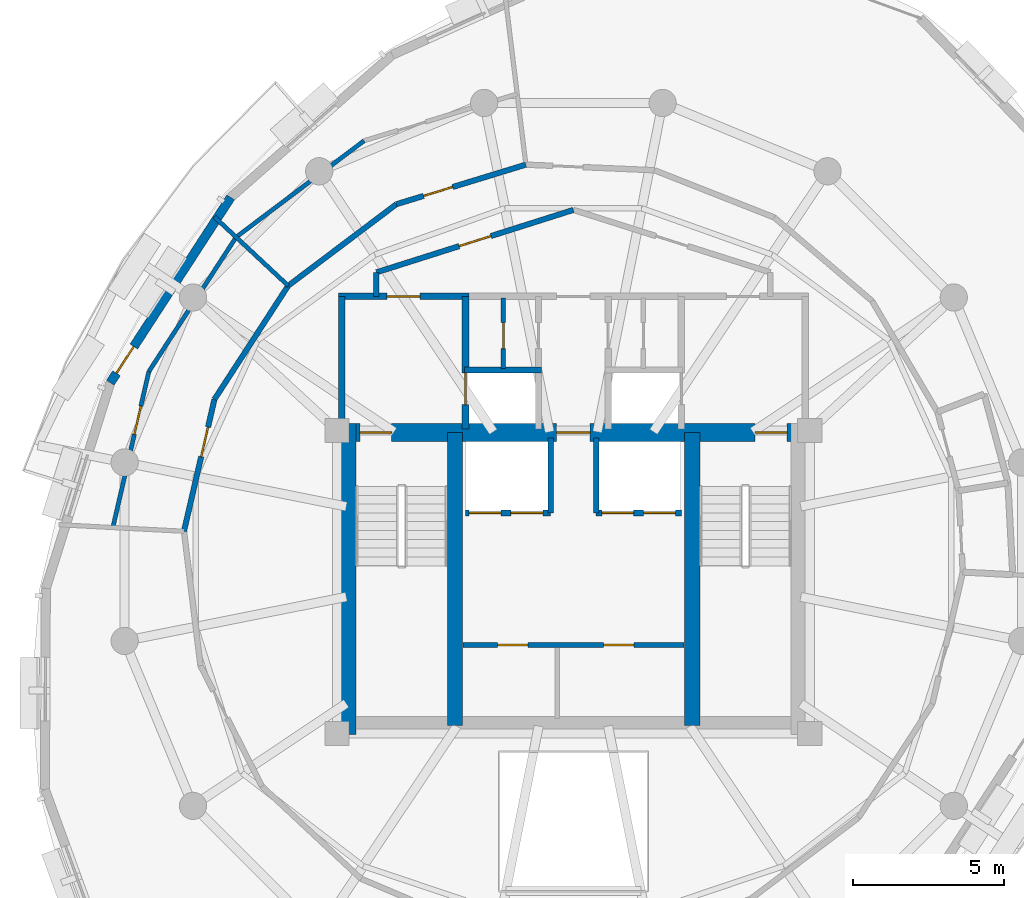
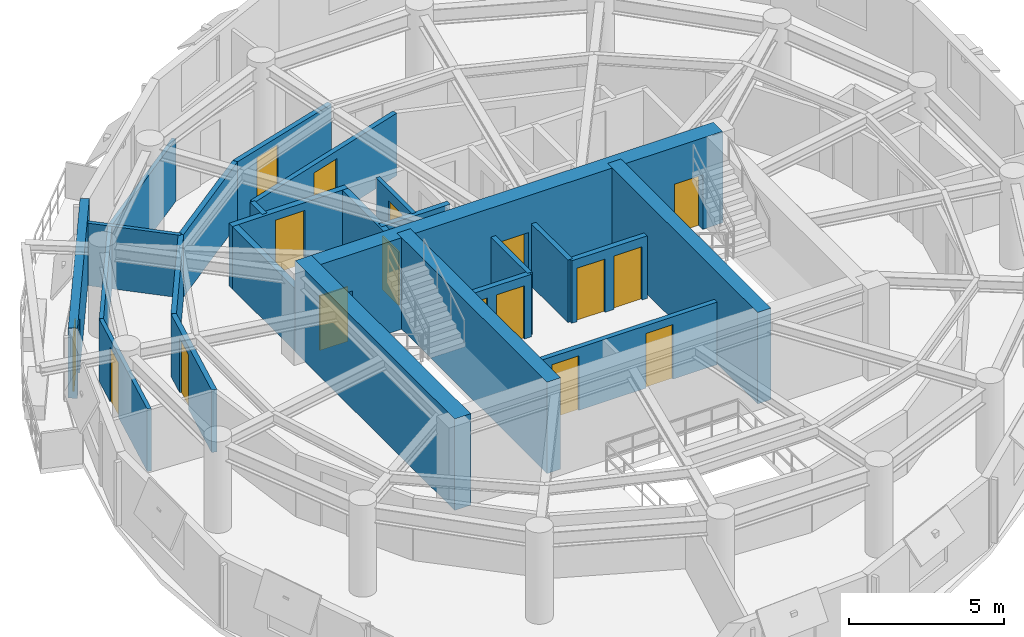
# One storey, part 7 of 11: 25 walls, 17 doors, 17 openings.
"""IFC4 building model written with IfcOpenShell, lengths in metres."""

from ifc_helpers import new_model, si_unit, direction, frame, frame_2d, origin, place, context, subcontext, project, spatial, rectangle, extrude, material, layer, layer_set, type_object, element, fill, save


model = new_model("IFC4")

# Units and contexts
model_context = context("Model", 3, precision=1e-05, world=origin(), true_north=direction((0.0, 1.0)))
body_context = subcontext(model_context, "Body", "Model", "MODEL_VIEW")
ifc_project = project(units=[si_unit("LENGTHUNIT", "METRE"), si_unit("AREAUNIT", "SQUARE_METRE"), si_unit("VOLUMEUNIT", "CUBIC_METRE"), si_unit("PLANEANGLEUNIT", "RADIAN"), si_unit("MASSUNIT", "GRAM", prefix="KILO"), si_unit("THERMODYNAMICTEMPERATUREUNIT", "KELVIN"), si_unit("POWERUNIT", "WATT")], contexts=[model_context])

# Site, building, storey
site_placement = place(None, origin())
site = spatial("IfcSite", under=ifc_project, at=site_placement, CompositionType="ELEMENT")
building_placement = place(site_placement, origin())
building = spatial("IfcBuilding", under=site, at=building_placement, Name="Ocrelia Relay Tower", CompositionType="ELEMENT")
storey_placement = place(building_placement, frame((0.0, 0.0, 266.39990234375)))
storey = spatial("IfcBuildingStorey", under=building, at=storey_placement, Name="L66", CompositionType="ELEMENT", Elevation=266.39990234375)

# Wall, openings, doors
ifc_material_1 = material(Name="Concrete C50/60", Category="concrete")
ifc_layer_1 = layer(ifc_material_1, 0.60009765625, Name="Concrete C50/60")
ifc_layer_set_1 = layer_set([ifc_layer_1], Name="Concrete C50/60")
wall_type_1 = type_object("IfcWallType", Name="CW-CORE-600B", PredefinedType="SHEAR", material=ifc_layer_set_1)
wall_1_placement = place(storey_placement, frame((26.221923828125, 29.93798828125, 0.0), z_axis=(0.0, 0.0, 1.0), x_axis=(1.0, 0.0, 0.0)))
wall_1 = element("IfcWall", 1, at=wall_1_placement, inside=storey, type_object=wall_type_1, Name="L66 Core Shear Wall N", PredefinedType="SHEAR", context=body_context, shape_type="SweptSolid", body=[
    extrude(rectangle(XDim=15.566162109375, YDim=0.60009765625, at=frame_2d((7.783203125, 0.0))), origin(), (0.0, 0.0, 1.0), 3.60009765625),
])
opening_1_placement = place(wall_1_placement, frame((0.72802734375, 0.0, 0.0)))
opening_1 = element("IfcOpeningElement", 2, at=opening_1_placement, cuts=wall_1, Name="Opening D-FD90", PredefinedType="OPENING", context=body_context, shape_type="SweptSolid", body=[
    extrude(rectangle(XDim=1.050048828125, YDim=2.14990234375, at=frame_2d((0.52490234375, 1.074951171875))), frame((0.0, 0.31005859375, 0.0), z_axis=(0.0, -1.0, 0.0), x_axis=(1.0, 0.0, 0.0)), (0.0, 0.0, 1.0), 0.6201171875),
])
opening_2_placement = place(wall_1_placement, frame((13.778076171875, 0.0, 0.0)))
opening_2 = element("IfcOpeningElement", 3, at=opening_2_placement, cuts=wall_1, Name="Opening D-FD90", PredefinedType="OPENING", context=body_context, shape_type="SweptSolid", body=[
    extrude(rectangle(XDim=1.050048828125, YDim=2.14990234375, at=frame_2d((0.52490234375, 1.074951171875))), frame((0.0, 0.31005859375, 0.0), z_axis=(0.0, -1.0, 0.0), x_axis=(1.0, 0.0, 0.0)), (0.0, 0.0, 1.0), 0.6201171875),
])
opening_3_placement = place(wall_1_placement, frame((7.22802734375, 0.0, 0.0)))
opening_3 = element("IfcOpeningElement", 4, at=opening_3_placement, cuts=wall_1, Name="Opening D-FD60", PredefinedType="OPENING", context=body_context, shape_type="SweptSolid", body=[
    extrude(rectangle(XDim=1.10009765625, YDim=2.14990234375, at=frame_2d((0.550048828125, 1.074951171875))), frame((0.0, 0.31005859375, 0.0), z_axis=(0.0, -1.0, 0.0), x_axis=(1.0, 0.0, 0.0)), (0.0, 0.0, 1.0), 0.6201171875),
])
ifc_material_2 = material(Name="Timber-core 60-min acoustic fire door", Category="wood")
door_type_1 = type_object("IfcDoorType", Name="DR-LOBBY-FD60-1100", OperationType="NOTDEFINED", PredefinedType="DOOR", material=ifc_material_2)
door_1_placement = place(opening_3_placement, origin())
door_1 = element("IfcDoor", 5, at=door_1_placement, inside=storey, type_object=door_type_1, Name="L66 Core Lift Lobby North Fire Door", OperationType="SINGLE_SWING_LEFT", OverallHeight=2.14990234375, OverallWidth=1.10009765625, PredefinedType="DOOR", context=body_context, shape_type="SweptSolid", body=[
    extrude(rectangle(XDim=1.10009765625, YDim=2.14990234375, at=frame_2d((0.550048828125, 1.074951171875))), frame((0.0, 0.02490234375, 0.0), z_axis=(0.0, -1.0, 0.0), x_axis=(1.0, 0.0, 0.0)), (0.0, 0.0, 1.0), 0.050048828125),
])
fill(opening_3, door_1)
ifc_material_3 = material(Name="Steel S355 90-min fire door", Category="steel")
door_type_2 = type_object("IfcDoorType", Name="DR-STAIR-FD90-1050", OperationType="NOTDEFINED", PredefinedType="DOOR", material=ifc_material_3)
door_2_placement = place(opening_1_placement, origin())
door_2 = element("IfcDoor", 6, at=door_2_placement, inside=storey, type_object=door_type_2, Name="L66 Stair ST1 Fire Door", OperationType="SINGLE_SWING_LEFT", OverallHeight=2.14990234375, OverallWidth=1.050048828125, PredefinedType="DOOR", context=body_context, shape_type="SweptSolid", body=[
    extrude(rectangle(XDim=1.050048828125, YDim=2.14990234375, at=frame_2d((0.52490234375, 1.074951171875))), frame((0.0, 0.02490234375, 0.0), z_axis=(0.0, -1.0, 0.0), x_axis=(1.0, 0.0, 0.0)), (0.0, 0.0, 1.0), 0.050048828125),
])
fill(opening_1, door_2)
door_3_placement = place(opening_2_placement, origin())
door_3 = element("IfcDoor", 7, at=door_3_placement, inside=storey, type_object=door_type_2, Name="L66 Stair ST2 Fire Door", OperationType="SINGLE_SWING_RIGHT", OverallHeight=2.14990234375, OverallWidth=1.050048828125, PredefinedType="DOOR", context=body_context, shape_type="SweptSolid", body=[
    extrude(rectangle(XDim=1.050048828125, YDim=2.14990234375, at=frame_2d((0.52490234375, 1.074951171875))), frame((0.0, 0.02490234375, 0.0), z_axis=(0.0, -1.0, 0.0), x_axis=(1.0, 0.0, 0.0)), (0.0, 0.0, 1.0), 0.050048828125),
])
fill(opening_2, door_3)

# Walls
wall_2_placement = place(storey_placement, frame((26.52197265625, 19.9619140625, 0.0), z_axis=(0.0, 0.0, 1.0), x_axis=(0.0, 1.0, 0.0)))
element("IfcWall", 8, at=wall_2_placement, inside=storey, type_object=wall_type_1, Name="L66 Core Shear Wall W", PredefinedType="SHEAR", context=body_context, shape_type="SweptSolid", body=[
    extrude(rectangle(XDim=10.276123046875, YDim=0.60009765625, at=frame_2d((5.13818359375, 0.0))), origin(), (0.0, 0.0, 1.0), 3.60009765625),
])
for number, where, z_axis, x_axis, name in (
    (9, (30.087890625, 20.261962890625, 0.0), (0.0, 0.0, 1.0), (0.0, 1.0, 0.0), "L66 Core Shear Wall SPW"),
    (10, (37.922119140625, 20.261962890625, 0.0), (0.0, 0.0, 1.0), (0.0, 1.0, 0.0), "L66 Core Shear Wall SPE"),
):
    element("IfcWall", number, at=place(storey_placement, frame(where, z_axis=z_axis, x_axis=x_axis)), inside=storey, type_object=wall_type_1, Name=name, PredefinedType="SHEAR", context=body_context, shape_type="SweptSolid", body=[
        extrude(rectangle(XDim=9.676025390625, YDim=0.5, at=frame_2d((4.837890625, 0.0))), origin(), (0.0, 0.0, 1.0), 3.60009765625),
    ])

# Wall, openings, doors
ifc_material_4 = material(Name="Gypsum Fireboard Partition EI60", Category="gypsum")
ifc_layer_2 = layer(ifc_material_4, 0.179931640625, Name="Gypsum Fireboard Partition EI60")
ifc_layer_set_2 = layer_set([ifc_layer_2], Name="Gypsum Fireboard Partition EI60")
wall_type_2 = type_object("IfcWallType", Name="W-CORR-EI60-180", PredefinedType="PARTITIONING", material=ifc_layer_set_2)
wall_3_placement = place(storey_placement, frame((30.35009765625, 22.919921875, 0.0), z_axis=(0.0, 0.0, 1.0), x_axis=(1.0, 0.0, 0.0)))
wall_3 = element("IfcWall", 11, at=wall_3_placement, inside=storey, type_object=wall_type_2, Name="L66 Reclaimed Core Room Partition", PredefinedType="PARTITIONING", context=body_context, shape_type="SweptSolid", body=[
    extrude(rectangle(XDim=7.2998046875, YDim=0.179931640625, at=frame_2d((3.64990234375, 0.0))), origin(), (0.0, 0.0, 1.0), 2.460205078125),
])
opening_4_placement = place(wall_3_placement, frame((1.14990234375, 0.0, 0.0)))
opening_4 = element("IfcOpeningElement", 12, at=opening_4_placement, cuts=wall_3, Name="Opening D-RM100", PredefinedType="OPENING", context=body_context, shape_type="SweptSolid", body=[
    extrude(rectangle(XDim=1.0, YDim=2.14990234375, at=frame_2d((0.5, 1.074951171875))), frame((0.0, 0.10009765625, 0.0), z_axis=(0.0, -1.0, 0.0), x_axis=(1.0, 0.0, 0.0)), (0.0, 0.0, 1.0), 0.199951171875),
])
opening_5_placement = place(wall_3_placement, frame((4.64990234375, 0.0, 0.0)))
opening_5 = element("IfcOpeningElement", 13, at=opening_5_placement, cuts=wall_3, Name="Opening D-RM100", PredefinedType="OPENING", context=body_context, shape_type="SweptSolid", body=[
    extrude(rectangle(XDim=1.0, YDim=2.14990234375, at=frame_2d((0.5, 1.074951171875))), frame((0.0, 0.10009765625, 0.0), z_axis=(0.0, -1.0, 0.0), x_axis=(1.0, 0.0, 0.0)), (0.0, 0.0, 1.0), 0.199951171875),
])
ifc_material_5 = material(Name="Acoustic oak veneer fire door", Category="wood")
door_type_3 = type_object("IfcDoorType", Name="DR-ROOM-FD60-1000", OperationType="NOTDEFINED", PredefinedType="DOOR", material=ifc_material_5)
door_4_placement = place(opening_4_placement, origin())
door_4 = element("IfcDoor", 14, at=door_4_placement, inside=storey, type_object=door_type_3, Name="L66 Reclaimed Core Room 1 Door", OperationType="SINGLE_SWING_LEFT", OverallHeight=2.14990234375, OverallWidth=1.0, PredefinedType="DOOR", context=body_context, shape_type="SweptSolid", body=[
    extrude(rectangle(XDim=1.0, YDim=2.14990234375, at=frame_2d((0.5, 1.074951171875))), frame((0.0, 0.02490234375, 0.0), z_axis=(0.0, -1.0, 0.0), x_axis=(1.0, 0.0, 0.0)), (0.0, 0.0, 1.0), 0.050048828125),
])
fill(opening_4, door_4)
door_5_placement = place(opening_5_placement, origin())
door_5 = element("IfcDoor", 15, at=door_5_placement, inside=storey, type_object=door_type_3, Name="L66 Reclaimed Core Room 2 Door", OperationType="SINGLE_SWING_RIGHT", OverallHeight=2.14990234375, OverallWidth=1.0, PredefinedType="DOOR", context=body_context, shape_type="SweptSolid", body=[
    extrude(rectangle(XDim=1.0, YDim=2.14990234375, at=frame_2d((0.5, 1.074951171875))), frame((0.0, 0.02490234375, 0.0), z_axis=(0.0, -1.0, 0.0), x_axis=(1.0, 0.0, 0.0)), (0.0, 0.0, 1.0), 0.050048828125),
])
fill(opening_5, door_5)

# Wall
wall_4_placement = place(storey_placement, frame((27.5, 34.429931640625, 0.0), z_axis=(0.0, 0.0, 1.0), x_axis=(0.0, 1.0, 0.0)))
element("IfcWall", 16, at=wall_4_placement, inside=storey, type_object=wall_type_2, Name="L66 Smoke Lobby West Return", PredefinedType="PARTITIONING", context=body_context, shape_type="SweptSolid", body=[
    extrude(rectangle(XDim=0.7890625, YDim=0.179931640625, at=frame_2d((0.39453125, 0.0))), origin(), (0.0, 0.0, 1.0), 2.460205078125),
])

# Wall, opening, door
wall_5_placement = place(storey_placement, frame((27.5, 35.218994140625, 0.0), z_axis=(0.0, 0.0, 1.0), x_axis=(0.953228121756, 0.302251795518, 0.0)))
wall_5 = element("IfcWall", 17, at=wall_5_placement, inside=storey, type_object=wall_type_2, Name="L66 North Smoke Lobby W Screen Wall", PredefinedType="PARTITIONING", context=body_context, shape_type="SweptSolid", body=[
    extrude(rectangle(XDim=6.81884765625, YDim=0.179931640625, at=frame_2d((3.409423828125, 0.0))), origin(), (0.0, 0.0, 1.0), 2.460205078125),
])
opening_6_placement = place(wall_5_placement, frame((2.859619140625, 0.0, 0.0)))
opening_6 = element("IfcOpeningElement", 18, at=opening_6_placement, cuts=wall_5, Name="Opening D-FD60", PredefinedType="OPENING", context=body_context, shape_type="SweptSolid", body=[
    extrude(rectangle(XDim=1.10009765625, YDim=2.14990234375, at=frame_2d((0.550048828125, 1.074951171875))), frame((0.0, 0.10009765625, 0.0), z_axis=(0.0, -1.0, 0.0), x_axis=(1.0, 0.0, 0.0)), (0.0, 0.0, 1.0), 0.199951171875),
])
door_6_placement = place(opening_6_placement, origin())
door_6 = element("IfcDoor", 19, at=door_6_placement, inside=storey, type_object=door_type_1, Name="L66 North Smoke Lobby W Fire Door", OperationType="SINGLE_SWING_LEFT", OverallHeight=2.14990234375, OverallWidth=1.10009765625, PredefinedType="DOOR", context=body_context, shape_type="SweptSolid", body=[
    extrude(rectangle(XDim=1.10009765625, YDim=2.14990234375, at=frame_2d((0.550048828125, 1.074951171875))), frame((0.0, 0.02490234375, 0.0), z_axis=(0.0, -1.0, 0.0), x_axis=(1.0, 0.0, 0.0)), (0.0, 0.0, 1.0), 0.050048828125),
])
fill(opening_6, door_6)

wall_6_placement = place(storey_placement, frame((32.431396484375, 38.774169921875, 0.0), z_axis=(0.0, 0.0, 1.0), x_axis=(-0.956300674808, -0.292385053247, 0.0)))
wall_6 = element("IfcWall", 20, at=wall_6_placement, inside=storey, type_object=wall_type_2, Name="L66 Registry Store A Corridor Partition 1", PredefinedType="PARTITIONING", context=body_context, shape_type="SweptSolid", body=[
    extrude(rectangle(XDim=4.4697265625, YDim=0.179931640625, at=frame_2d((2.23486328125, 0.0))), origin(), (0.0, 0.0, 1.0), 2.460205078125),
])
opening_7_placement = place(wall_6_placement, frame((2.52734375, 0.0, 0.0)))
opening_7 = element("IfcOpeningElement", 21, at=opening_7_placement, cuts=wall_6, Name="Opening D-RM100", PredefinedType="OPENING", context=body_context, shape_type="SweptSolid", body=[
    extrude(rectangle(XDim=1.0, YDim=2.14990234375, at=frame_2d((0.5, 1.074951171875))), frame((0.0, 0.10009765625, 0.0), z_axis=(0.0, -1.0, 0.0), x_axis=(1.0, 0.0, 0.0)), (0.0, 0.0, 1.0), 0.199951171875),
])
door_7_placement = place(opening_7_placement, origin())
door_7 = element("IfcDoor", 22, at=door_7_placement, inside=storey, type_object=door_type_3, Name="L66 Registry Store A Entrance Door", OperationType="SINGLE_SWING_RIGHT", OverallHeight=2.14990234375, OverallWidth=1.0, PredefinedType="DOOR", context=body_context, shape_type="SweptSolid", body=[
    extrude(rectangle(XDim=1.0, YDim=2.14990234375, at=frame_2d((0.5, 1.074951171875))), frame((0.0, 0.02490234375, 0.0), z_axis=(0.0, -1.0, 0.0), x_axis=(1.0, 0.0, 0.0)), (0.0, 0.0, 1.0), 0.050048828125),
])
fill(opening_7, door_7)

# Walls
for number, where, z_axis, x_axis, name in (
    (23, (28.156982421875, 37.46728515625, 0.0), (0.0, 0.0, 1.0), (-0.798627995496, -0.601824995169, 0.0), "L66 Registry Store A Corridor Partition 2"),
    (24, (24.58740234375, 34.77734375, 0.0), (0.0, 0.0, 1.0), (-0.544638874192, -0.838670672385, 0.0), "L66 Records Cupboard Store B Corridor Partition 1"),
):
    element("IfcWall", number, at=place(storey_placement, frame(where, z_axis=z_axis, x_axis=x_axis)), inside=storey, type_object=wall_type_2, Name=name, PredefinedType="PARTITIONING", context=body_context, shape_type="SweptSolid", body=[
        extrude(rectangle(XDim=4.4697265625, YDim=0.179931640625, at=frame_2d((2.23486328125, 0.0))), origin(), (0.0, 0.0, 1.0), 2.460205078125),
    ])

# Wall, opening, door
wall_7_placement = place(storey_placement, frame((22.153076171875, 31.02880859375, 0.0), z_axis=(0.0, 0.0, 1.0), x_axis=(-0.224927321525, -0.974375543634, 0.0)))
wall_7 = element("IfcWall", 25, at=wall_7_placement, inside=storey, type_object=wall_type_2, Name="L66 Records Cupboard Store B Corridor Partition 2", PredefinedType="PARTITIONING", context=body_context, shape_type="SweptSolid", body=[
    extrude(rectangle(XDim=4.4697265625, YDim=0.179931640625, at=frame_2d((2.23486328125, 0.0))), origin(), (0.0, 0.0, 1.0), 2.460205078125),
])
opening_8_placement = place(wall_7_placement, frame((0.9423828125, 0.0, 0.0)))
opening_8 = element("IfcOpeningElement", 26, at=opening_8_placement, cuts=wall_7, Name="Opening D-RM100", PredefinedType="OPENING", context=body_context, shape_type="SweptSolid", body=[
    extrude(rectangle(XDim=1.0, YDim=2.14990234375, at=frame_2d((0.5, 1.074951171875))), frame((0.0, 0.10009765625, 0.0), z_axis=(0.0, -1.0, 0.0), x_axis=(1.0, 0.0, 0.0)), (0.0, 0.0, 1.0), 0.199951171875),
])
door_8_placement = place(opening_8_placement, origin())
door_8 = element("IfcDoor", 27, at=door_8_placement, inside=storey, type_object=door_type_3, Name="L66 Records Cupboard Store B Entrance Door", OperationType="SINGLE_SWING_RIGHT", OverallHeight=2.14990234375, OverallWidth=1.0, PredefinedType="DOOR", context=body_context, shape_type="SweptSolid", body=[
    extrude(rectangle(XDim=1.0, YDim=2.14990234375, at=frame_2d((0.5, 1.074951171875))), frame((0.0, 0.02490234375, 0.0), z_axis=(0.0, -1.0, 0.0), x_axis=(1.0, 0.0, 0.0)), (0.0, 0.0, 1.0), 0.050048828125),
])
fill(opening_8, door_8)

ifc_material_6 = material(Name="Precast concrete C40/50 with oxide terracotta", Category="masonry")
ifc_layer_3 = layer(ifc_material_6, 0.300048828125, Name="Precast concrete C40/50 with oxide terracotta")
ifc_layer_set_3 = layer_set([ifc_layer_3], Name="Precast concrete C40/50 with oxide terracotta")
wall_type_3 = type_object("IfcWallType", Name="W-EXT-TERR-300", PredefinedType="SOLIDWALL", material=ifc_layer_set_3)
wall_8_placement = place(storey_placement, frame((22.688720703125, 37.69384765625, 0.0), z_axis=(0.0, 0.0, 1.0), x_axis=(-0.544632964152, -0.838674510379, 0.0)))
wall_8 = element("IfcWall", 28, at=wall_8_placement, inside=storey, type_object=wall_type_3, Name="L66 Oxide Terracotta Facade Wall 05", PredefinedType="SOLIDWALL", context=body_context, shape_type="SweptSolid", body=[
    extrude(rectangle(XDim=7.293212890625, YDim=0.300048828125, at=frame_2d((3.646484375, 0.0))), origin(), (0.0, 0.0, 1.0), 2.760009765625),
])
opening_9_placement = place(wall_8_placement, frame((5.8701171875, 0.0, 0.0)))
opening_9 = element("IfcOpeningElement", 29, at=opening_9_placement, cuts=wall_8, Name="Opening DB-105", PredefinedType="OPENING", context=body_context, shape_type="SweptSolid", body=[
    extrude(rectangle(XDim=1.050048828125, YDim=2.14990234375, at=frame_2d((0.52490234375, 1.074951171875))), frame((0.0, 0.16015625, 0.0), z_axis=(0.0, -1.0, 0.0), x_axis=(1.0, 0.0, 0.0)), (0.0, 0.0, 1.0), 0.320068359375),
])
ifc_material_7 = material(Name="Thermally broken aluminium and clear glass", Category="aluminium")
door_type_4 = type_object("IfcDoorType", Name="DR-BALC-1050", OperationType="NOTDEFINED", PredefinedType="DOOR", material=ifc_material_7)
door_9_placement = place(opening_9_placement, origin())
door_9 = element("IfcDoor", 30, at=door_9_placement, inside=storey, type_object=door_type_4, Name="L66 Planted Loggia Balcony Door B1", OperationType="SINGLE_SWING_LEFT", OverallHeight=2.14990234375, OverallWidth=1.050048828125, PredefinedType="DOOR", context=body_context, shape_type="SweptSolid", body=[
    extrude(rectangle(XDim=1.050048828125, YDim=2.14990234375, at=frame_2d((0.52490234375, 1.074951171875))), frame((0.0, 0.02490234375, 0.0), z_axis=(0.0, -1.0, 0.0), x_axis=(1.0, 0.0, 0.0)), (0.0, 0.0, 1.0), 0.050048828125),
])
fill(opening_9, door_9)

# Wall
ifc_layer_4 = layer(ifc_material_1, 0.219970703125, Name="Concrete C50/60")
ifc_layer_set_4 = layer_set([ifc_layer_4], Name="Concrete C50/60")
wall_type_4 = type_object("IfcWallType", Name="W-FFL-EI120-220", PredefinedType="SOLIDWALL", material=ifc_layer_set_4)
wall_9_placement = place(storey_placement, frame((26.35009765625, 30.050048828125, 0.0), z_axis=(0.0, 0.0, 1.0), x_axis=(0.0, 1.0, 0.0)))
element("IfcWall", 31, at=wall_9_placement, inside=storey, type_object=wall_type_4, Name="L66 W Fire Service Lift Lobby West Wall", PredefinedType="SOLIDWALL", context=body_context, shape_type="SweptSolid", body=[
    extrude(rectangle(XDim=4.3798828125, YDim=0.219970703125, at=frame_2d((2.18994140625, 0.0))), origin(), (0.0, 0.0, 1.0), 2.460205078125),
])

# Wall, opening, door
wall_10_placement = place(storey_placement, frame((30.43994140625, 30.050048828125, 0.0), z_axis=(0.0, 0.0, 1.0), x_axis=(0.0, 1.0, 0.0)))
wall_10 = element("IfcWall", 32, at=wall_10_placement, inside=storey, type_object=wall_type_4, Name="L66 W Fire Service Lift Lobby East Wall", PredefinedType="SOLIDWALL", context=body_context, shape_type="SweptSolid", body=[
    extrude(rectangle(XDim=4.3798828125, YDim=0.219970703125, at=frame_2d((2.18994140625, 0.0))), origin(), (0.0, 0.0, 1.0), 2.460205078125),
])
opening_10_placement = place(wall_10_placement, frame((0.800048828125, 0.0, 0.0)))
opening_10 = element("IfcOpeningElement", 33, at=opening_10_placement, cuts=wall_10, Name="Opening LD-FFL1", PredefinedType="OPENING", context=body_context, shape_type="SweptSolid", body=[
    extrude(rectangle(XDim=1.050048828125, YDim=2.10009765625, at=frame_2d((0.52490234375, 1.050048828125))), frame((0.0, 0.1201171875, 0.0), z_axis=(0.0, -1.0, 0.0), x_axis=(1.0, 0.0, 0.0)), (0.0, 0.0, 1.0), 0.239990234375),
])
ifc_material_8 = material(Name="Brushed stainless steel S355 lift landing door", Category="steel")
door_type_5 = type_object("IfcDoorType", Name="DR-LIFT-LAND-1050", OperationType="DOUBLE_DOOR_SLIDING", PredefinedType="USERDEFINED", material=ifc_material_8)
door_10_placement = place(opening_10_placement, origin())
door_10 = element("IfcDoor", 34, at=door_10_placement, inside=storey, type_object=door_type_5, Name="L66 Firefighting Lift FFL1 Sliding Landing Door", ObjectType="LANDING DOOR", OperationType="DOUBLE_DOOR_SLIDING", OverallHeight=2.10009765625, OverallWidth=1.050048828125, PredefinedType="USERDEFINED", context=body_context, shape_type="SweptSolid", body=[
    extrude(rectangle(XDim=1.050048828125, YDim=2.10009765625, at=frame_2d((0.52490234375, 1.050048828125))), frame((0.0, 0.02490234375, 0.0), z_axis=(0.0, -1.0, 0.0), x_axis=(1.0, 0.0, 0.0)), (0.0, 0.0, 1.0), 0.050048828125),
])
fill(opening_10, door_10)

wall_11_placement = place(storey_placement, frame((26.239990234375, 34.429931640625, 0.0), z_axis=(0.0, 0.0, 1.0), x_axis=(1.0, 0.0, 0.0)))
wall_11 = element("IfcWall", 35, at=wall_11_placement, inside=storey, type_object=wall_type_4, Name="L66 W Fire Service Lift Lobby North Wall", PredefinedType="SOLIDWALL", context=body_context, shape_type="SweptSolid", body=[
    extrude(rectangle(XDim=4.31005859375, YDim=0.219970703125, at=frame_2d((2.155029296875, 0.0))), origin(), (0.0, 0.0, 1.0), 2.460205078125),
])
opening_11_placement = place(wall_11_placement, frame((1.60009765625, 0.0, 0.0)))
opening_11 = element("IfcOpeningElement", 36, at=opening_11_placement, cuts=wall_11, Name="Opening D-FD60", PredefinedType="OPENING", context=body_context, shape_type="SweptSolid", body=[
    extrude(rectangle(XDim=1.10009765625, YDim=2.14990234375, at=frame_2d((0.550048828125, 1.074951171875))), frame((0.0, 0.1201171875, 0.0), z_axis=(0.0, -1.0, 0.0), x_axis=(1.0, 0.0, 0.0)), (0.0, 0.0, 1.0), 0.239990234375),
])
door_11_placement = place(opening_11_placement, origin())
door_11 = element("IfcDoor", 37, at=door_11_placement, inside=storey, type_object=door_type_1, Name="L66 W Fire Service Lift Lobby Exit Door", OperationType="SINGLE_SWING_RIGHT", OverallHeight=2.14990234375, OverallWidth=1.10009765625, PredefinedType="DOOR", context=body_context, shape_type="SweptSolid", body=[
    extrude(rectangle(XDim=1.10009765625, YDim=2.14990234375, at=frame_2d((0.550048828125, 1.074951171875))), frame((0.0, 0.02490234375, 0.0), z_axis=(0.0, -1.0, 0.0), x_axis=(1.0, 0.0, 0.0)), (0.0, 0.0, 1.0), 0.050048828125),
])
fill(opening_11, door_11)

# Walls
ifc_material_9 = material(Name="Acoustic Fireboard Partition EI60", Category="gypsum")
ifc_layer_5 = layer(ifc_material_9, 0.139892578125, Name="Acoustic Fireboard Partition EI60")
ifc_layer_set_5 = layer_set([ifc_layer_5], Name="Acoustic Fireboard Partition EI60")
wall_type_5 = type_object("IfcWallType", Name="W-PART-140", PredefinedType="PARTITIONING", material=ifc_layer_set_5)
wall_12_placement = place(storey_placement, frame((24.58740234375, 34.77734375, 0.0), z_axis=(0.0, 0.0, 1.0), x_axis=(-0.731340377031, 0.682012648654, 0.0)))
element("IfcWall", 38, at=wall_12_placement, inside=storey, type_object=wall_type_5, Name="L66 Registry Store A Radial Partition", PredefinedType="PARTITIONING", context=body_context, shape_type="SweptSolid", body=[
    extrude(rectangle(XDim=3.330810546875, YDim=0.139892578125, at=frame_2d((1.66552734375, 0.0))), origin(), (0.0, 0.0, 1.0), 2.460205078125),
])
wall_13_placement = place(storey_placement, frame((27.09033203125, 39.56103515625, 0.0), z_axis=(0.0, 0.0, 1.0), x_axis=(-0.798628918632, -0.601823770156, 0.0)))
element("IfcWall", 39, at=wall_13_placement, inside=storey, type_object=wall_type_5, Name="L66 Perimeter Registry Store A Mid-Ring Partition 2", PredefinedType="PARTITIONING", context=body_context, shape_type="SweptSolid", body=[
    extrude(rectangle(XDim=5.285888671875, YDim=0.139892578125, at=frame_2d((2.64306640625, 0.0))), origin(), (0.0, 0.0, 1.0), 2.460205078125),
])
wall_14_placement = place(storey_placement, frame((22.868896484375, 36.3798828125, 0.0), z_axis=(0.0, 0.0, 1.0), x_axis=(-0.54466198204, -0.838655665527, 0.0)))
element("IfcWall", 40, at=wall_14_placement, inside=storey, type_object=wall_type_5, Name="L66 Perimeter Records Cupboard Store B Mid-Ring Partition 1", PredefinedType="PARTITIONING", context=body_context, shape_type="SweptSolid", body=[
    extrude(rectangle(XDim=5.28564453125, YDim=0.139892578125, at=frame_2d((2.642822265625, 0.0))), origin(), (0.0, 0.0, 1.0), 2.460205078125),
])

# Wall, opening, door
wall_15_placement = place(storey_placement, frame((19.989990234375, 31.947021484375, 0.0), z_axis=(0.0, 0.0, 1.0), x_axis=(-0.224977567686, -0.974363943318, 0.0)))
wall_15 = element("IfcWall", 41, at=wall_15_placement, inside=storey, type_object=wall_type_5, Name="L66 Perimeter Records Cupboard Store B Mid-Ring Partition 2", PredefinedType="PARTITIONING", context=body_context, shape_type="SweptSolid", body=[
    extrude(rectangle(XDim=5.285888671875, YDim=0.139892578125, at=frame_2d((2.64306640625, 0.0))), origin(), (0.0, 0.0, 1.0), 2.460205078125),
])
opening_12_placement = place(wall_15_placement, frame((1.173828125, 0.0, 0.0)))
opening_12 = element("IfcOpeningElement", 42, at=opening_12_placement, cuts=wall_15, Name="Opening D-RM95", PredefinedType="OPENING", context=body_context, shape_type="SweptSolid", body=[
    extrude(rectangle(XDim=0.949951171875, YDim=2.14990234375, at=frame_2d((0.47509765625, 1.074951171875))), frame((0.0, 0.080078125, 0.0), z_axis=(0.0, -1.0, 0.0), x_axis=(1.0, 0.0, 0.0)), (0.0, 0.0, 1.0), 0.159912109375),
])
door_type_6 = type_object("IfcDoorType", Name="DR-ROOM-950", OperationType="NOTDEFINED", PredefinedType="DOOR", material=ifc_material_5)
door_12_placement = place(opening_12_placement, origin())
door_12 = element("IfcDoor", 43, at=door_12_placement, inside=storey, type_object=door_type_6, Name="L66 Perimeter Records Cupboard Store B Connecting Door", OperationType="SINGLE_SWING_LEFT", OverallHeight=2.14990234375, OverallWidth=0.949951171875, PredefinedType="DOOR", context=body_context, shape_type="SweptSolid", body=[
    extrude(rectangle(XDim=0.949951171875, YDim=2.14990234375, at=frame_2d((0.47509765625, 1.074951171875))), frame((0.0, 0.02490234375, 0.0), z_axis=(0.0, -1.0, 0.0), x_axis=(1.0, 0.0, 0.0)), (0.0, 0.0, 1.0), 0.050048828125),
])
fill(opening_12, door_12)

ifc_layer_6 = layer(ifc_material_9, 0.14990234375, Name="Acoustic Fireboard Partition EI60")
ifc_layer_set_6 = layer_set([ifc_layer_6], Name="Acoustic Fireboard Partition EI60")
wall_type_6 = type_object("IfcWallType", Name="W-PART-150", PredefinedType="PARTITIONING", material=ifc_layer_set_6)
wall_16_placement = place(storey_placement, frame((31.68994140625, 32.050048828125, 0.0), z_axis=(0.0, 0.0, 1.0), x_axis=(0.0, 1.0, 0.0)))
wall_16 = element("IfcWall", 44, at=wall_16_placement, inside=storey, type_object=wall_type_6, Name="L66 West Core Support Partition", PredefinedType="PARTITIONING", context=body_context, shape_type="SweptSolid", body=[
    extrude(rectangle(XDim=2.329833984375, YDim=0.14990234375, at=frame_2d((1.1650390625, 0.0))), origin(), (0.0, 0.0, 1.0), 2.460205078125),
])
opening_13_placement = place(wall_16_placement, frame((0.64990234375, 0.0, 0.0)))
opening_13 = element("IfcOpeningElement", 45, at=opening_13_placement, cuts=wall_16, Name="Opening D-RS86", PredefinedType="OPENING", context=body_context, shape_type="SweptSolid", body=[
    extrude(rectangle(XDim=0.860107421875, YDim=2.050048828125, at=frame_2d((0.43017578125, 1.02490234375))), frame((0.0, 0.0849609375, 0.0), z_axis=(0.0, -1.0, 0.0), x_axis=(1.0, 0.0, 0.0)), (0.0, 0.0, 1.0), 0.169921875),
])
ifc_material_10 = material(Name="Steel S355 riser access fire door", Category="steel")
door_type_7 = type_object("IfcDoorType", Name="DR-RISER-TRAP-860", OperationType="NOTDEFINED", PredefinedType="TRAPDOOR", material=ifc_material_10)
door_13_placement = place(opening_13_placement, origin())
door_13 = element("IfcDoor", 46, at=door_13_placement, inside=storey, type_object=door_type_7, Name="L66 West Core Store Connecting Door", OperationType="SINGLE_SWING_LEFT", OverallHeight=2.050048828125, OverallWidth=0.860107421875, PredefinedType="TRAPDOOR", context=body_context, shape_type="SweptSolid", body=[
    extrude(rectangle(XDim=0.860107421875, YDim=2.050048828125, at=frame_2d((0.43017578125, 1.02490234375))), frame((0.0, 0.02490234375, 0.0), z_axis=(0.0, -1.0, 0.0), x_axis=(1.0, 0.0, 0.0)), (0.0, 0.0, 1.0), 0.050048828125),
])
fill(opening_13, door_13)

# Wall
ifc_layer_7 = layer(ifc_material_1, 0.199951171875, Name="Concrete C50/60")
ifc_layer_set_7 = layer_set([ifc_layer_7], Name="Concrete C50/60")
wall_type_7 = type_object("IfcWallType", Name="W-SHAFT-EI120-200", PredefinedType="SOLIDWALL", material=ifc_layer_set_7)
wall_17_placement = place(storey_placement, frame((30.39990234375, 32.0, 0.0), z_axis=(0.0, 0.0, 1.0), x_axis=(1.0, 0.0, 0.0)))
element("IfcWall", 47, at=wall_17_placement, inside=storey, type_object=wall_type_7, Name="L66 FFL1 Hoistway North Wall", PredefinedType="SOLIDWALL", context=body_context, shape_type="SweptSolid", body=[
    extrude(rectangle(XDim=2.550048828125, YDim=0.199951171875, at=frame_2d((1.27490234375, 0.0))), origin(), (0.0, 0.0, 1.0), 2.460205078125),
])

# Wall, openings, doors
wall_18_placement = place(storey_placement, frame((30.43994140625, 27.280029296875, 0.0), z_axis=(0.0, 0.0, 1.0), x_axis=(1.0, 0.0, 0.0)))
wall_18 = element("IfcWall", 48, at=wall_18_placement, inside=storey, type_object=wall_type_7, Name="L66 High-Rise Lift Hoistway Wall W", PredefinedType="SOLIDWALL", context=body_context, shape_type="SweptSolid", body=[
    extrude(rectangle(XDim=2.81005859375, YDim=0.199951171875, at=frame_2d((1.405029296875, 0.0))), origin(), (0.0, 0.0, 1.0), 2.460205078125),
])
opening_14_placement = place(wall_18_placement, frame((0.1201171875, 0.0, 0.0)))
opening_14 = element("IfcOpeningElement", 49, at=opening_14_placement, cuts=wall_18, Name="Opening LD-PL5", PredefinedType="OPENING", context=body_context, shape_type="SweptSolid", body=[
    extrude(rectangle(XDim=1.050048828125, YDim=2.10009765625, at=frame_2d((0.52490234375, 1.050048828125))), frame((0.0, 0.10986328125, 0.0), z_axis=(0.0, -1.0, 0.0), x_axis=(1.0, 0.0, 0.0)), (0.0, 0.0, 1.0), 0.219970703125),
])
opening_15_placement = place(wall_18_placement, frame((1.5, 0.0, 0.0)))
opening_15 = element("IfcOpeningElement", 50, at=opening_15_placement, cuts=wall_18, Name="Opening LD-PL6", PredefinedType="OPENING", context=body_context, shape_type="SweptSolid", body=[
    extrude(rectangle(XDim=1.050048828125, YDim=2.10009765625, at=frame_2d((0.52490234375, 1.050048828125))), frame((0.0, 0.10986328125, 0.0), z_axis=(0.0, -1.0, 0.0), x_axis=(1.0, 0.0, 0.0)), (0.0, 0.0, 1.0), 0.219970703125),
])
door_14_placement = place(opening_14_placement, origin())
door_14 = element("IfcDoor", 51, at=door_14_placement, inside=storey, type_object=door_type_5, Name="L66 High-Rise Lift PL5 Sliding Landing Door", ObjectType="LANDING DOOR", OperationType="DOUBLE_DOOR_SLIDING", OverallHeight=2.10009765625, OverallWidth=1.050048828125, PredefinedType="USERDEFINED", context=body_context, shape_type="SweptSolid", body=[
    extrude(rectangle(XDim=1.050048828125, YDim=2.10009765625, at=frame_2d((0.52490234375, 1.050048828125))), frame((0.0, 0.02490234375, 0.0), z_axis=(0.0, -1.0, 0.0), x_axis=(1.0, 0.0, 0.0)), (0.0, 0.0, 1.0), 0.050048828125),
])
fill(opening_14, door_14)
door_15_placement = place(opening_15_placement, origin())
door_15 = element("IfcDoor", 52, at=door_15_placement, inside=storey, type_object=door_type_5, Name="L66 High-Rise Lift PL6 Sliding Landing Door", ObjectType="LANDING DOOR", OperationType="DOUBLE_DOOR_SLIDING", OverallHeight=2.10009765625, OverallWidth=1.050048828125, PredefinedType="USERDEFINED", context=body_context, shape_type="SweptSolid", body=[
    extrude(rectangle(XDim=1.050048828125, YDim=2.10009765625, at=frame_2d((0.52490234375, 1.050048828125))), frame((0.0, 0.02490234375, 0.0), z_axis=(0.0, -1.0, 0.0), x_axis=(1.0, 0.0, 0.0)), (0.0, 0.0, 1.0), 0.050048828125),
])
fill(opening_15, door_15)

# Wall
wall_19_placement = place(storey_placement, frame((33.25, 27.280029296875, 0.0), z_axis=(0.0, 0.0, 1.0), x_axis=(0.0, 1.0, 0.0)))
element("IfcWall", 53, at=wall_19_placement, inside=storey, type_object=wall_type_7, Name="L66 High-Rise Lift Throat Wall W", PredefinedType="SOLIDWALL", context=body_context, shape_type="SweptSolid", body=[
    extrude(rectangle(XDim=2.469970703125, YDim=0.179931640625, at=frame_2d((1.23486328125, 0.0))), origin(), (0.0, 0.0, 1.0), 2.460205078125),
])

# Wall, openings, doors
wall_20_placement = place(storey_placement, frame((34.75, 27.280029296875, 0.0), z_axis=(0.0, 0.0, 1.0), x_axis=(1.0, 0.0, 0.0)))
wall_20 = element("IfcWall", 54, at=wall_20_placement, inside=storey, type_object=wall_type_7, Name="L66 High-Rise Lift Hoistway Wall E", PredefinedType="SOLIDWALL", context=body_context, shape_type="SweptSolid", body=[
    extrude(rectangle(XDim=2.81005859375, YDim=0.199951171875, at=frame_2d((1.405029296875, 0.0))), origin(), (0.0, 0.0, 1.0), 2.460205078125),
])
opening_16_placement = place(wall_20_placement, frame((0.18994140625, 0.0, 0.0)))
opening_16 = element("IfcOpeningElement", 55, at=opening_16_placement, cuts=wall_20, Name="Opening LD-PL7", PredefinedType="OPENING", context=body_context, shape_type="SweptSolid", body=[
    extrude(rectangle(XDim=1.050048828125, YDim=2.10009765625, at=frame_2d((0.52490234375, 1.050048828125))), frame((0.0, 0.10986328125, 0.0), z_axis=(0.0, -1.0, 0.0), x_axis=(1.0, 0.0, 0.0)), (0.0, 0.0, 1.0), 0.219970703125),
])
opening_17_placement = place(wall_20_placement, frame((1.570068359375, 0.0, 0.0)))
opening_17 = element("IfcOpeningElement", 56, at=opening_17_placement, cuts=wall_20, Name="Opening LD-PL8", PredefinedType="OPENING", context=body_context, shape_type="SweptSolid", body=[
    extrude(rectangle(XDim=1.050048828125, YDim=2.10009765625, at=frame_2d((0.52490234375, 1.050048828125))), frame((0.0, 0.10986328125, 0.0), z_axis=(0.0, -1.0, 0.0), x_axis=(1.0, 0.0, 0.0)), (0.0, 0.0, 1.0), 0.219970703125),
])
door_16_placement = place(opening_16_placement, origin())
door_16 = element("IfcDoor", 57, at=door_16_placement, inside=storey, type_object=door_type_5, Name="L66 High-Rise Lift PL7 Sliding Landing Door", ObjectType="LANDING DOOR", OperationType="DOUBLE_DOOR_SLIDING", OverallHeight=2.10009765625, OverallWidth=1.050048828125, PredefinedType="USERDEFINED", context=body_context, shape_type="SweptSolid", body=[
    extrude(rectangle(XDim=1.050048828125, YDim=2.10009765625, at=frame_2d((0.52490234375, 1.050048828125))), frame((0.0, 0.02490234375, 0.0), z_axis=(0.0, -1.0, 0.0), x_axis=(1.0, 0.0, 0.0)), (0.0, 0.0, 1.0), 0.050048828125),
])
fill(opening_16, door_16)
door_17_placement = place(opening_17_placement, origin())
door_17 = element("IfcDoor", 58, at=door_17_placement, inside=storey, type_object=door_type_5, Name="L66 High-Rise Lift PL8 Sliding Landing Door", ObjectType="LANDING DOOR", OperationType="DOUBLE_DOOR_SLIDING", OverallHeight=2.10009765625, OverallWidth=1.050048828125, PredefinedType="USERDEFINED", context=body_context, shape_type="SweptSolid", body=[
    extrude(rectangle(XDim=1.050048828125, YDim=2.10009765625, at=frame_2d((0.52490234375, 1.050048828125))), frame((0.0, 0.02490234375, 0.0), z_axis=(0.0, -1.0, 0.0), x_axis=(1.0, 0.0, 0.0)), (0.0, 0.0, 1.0), 0.050048828125),
])
fill(opening_17, door_17)

# Wall
wall_21_placement = place(storey_placement, frame((34.75, 27.280029296875, 0.0), z_axis=(0.0, 0.0, 1.0), x_axis=(0.0, 1.0, 0.0)))
element("IfcWall", 59, at=wall_21_placement, inside=storey, type_object=wall_type_7, Name="L66 High-Rise Lift Throat Wall E", PredefinedType="SOLIDWALL", context=body_context, shape_type="SweptSolid", body=[
    extrude(rectangle(XDim=2.469970703125, YDim=0.179931640625, at=frame_2d((1.23486328125, 0.0))), origin(), (0.0, 0.0, 1.0), 2.460205078125),
])

save(model, "model.ifc")
